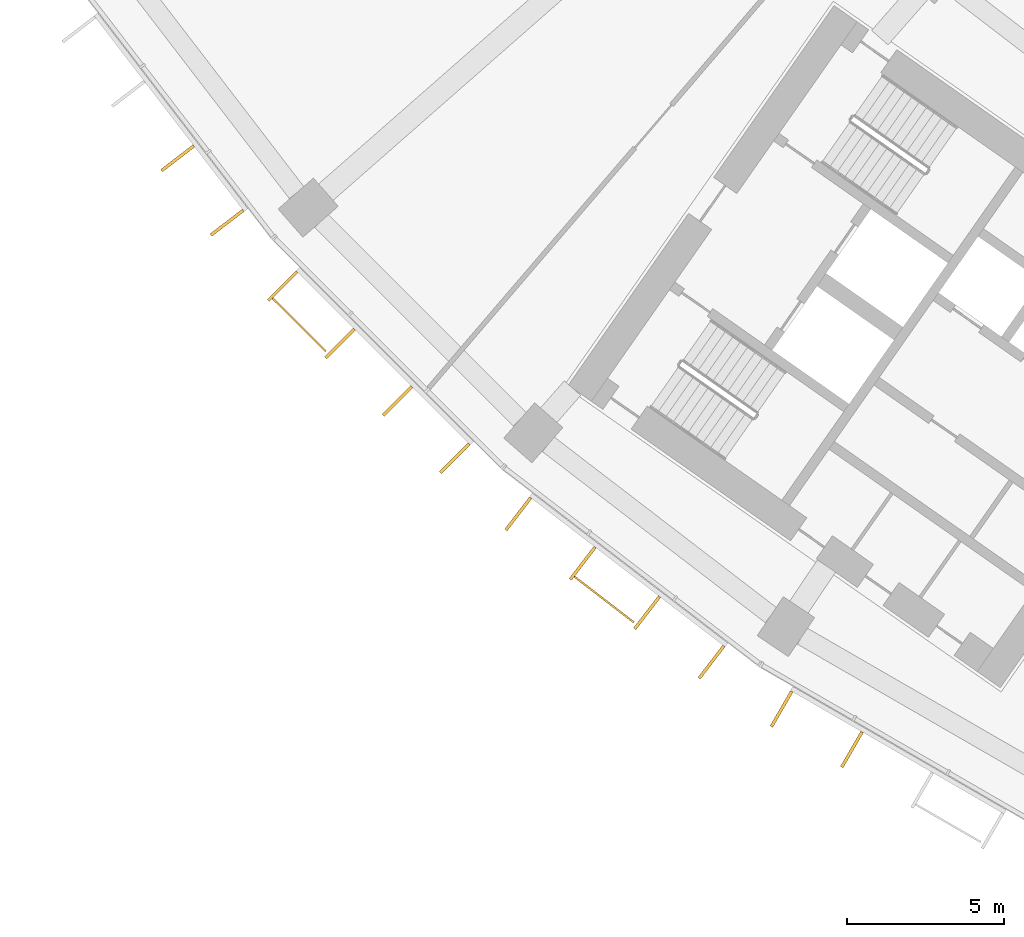
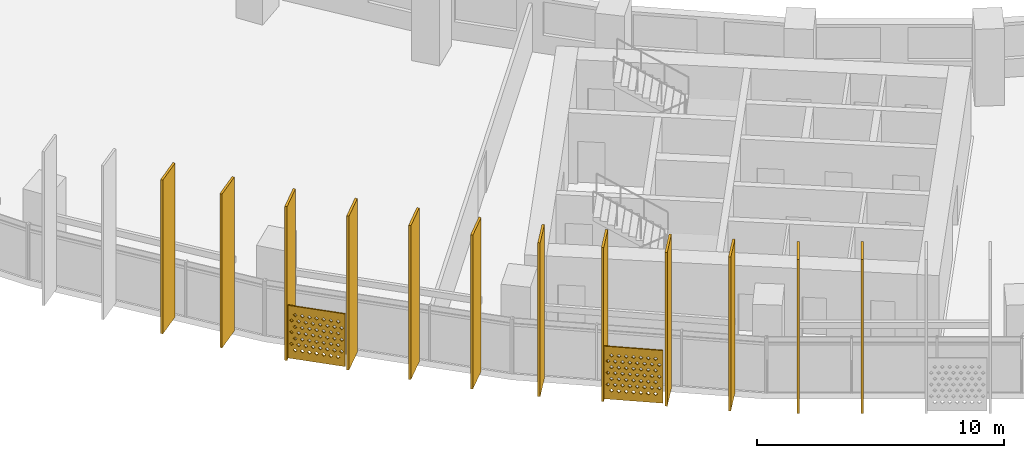
# One storey, part 23 of 30: 14 shading devices.
"""IFC4 building model written with IfcOpenShell, lengths in metres."""

from ifc_helpers import new_model, si_unit, direction, frame, origin, origin_2d, place, context, subcontext, project, spatial, polyline, rectangle, outline, extrude, material, material_profile, profile_set, type_object, element, save


model = new_model("IFC4")

# Units and contexts
model_context = context("Model", 3, precision=1e-05, world=origin(), true_north=direction((0.0, 1.0)))
body_context = subcontext(model_context, "Body", "Model", "MODEL_VIEW")
ifc_project = project(units=[si_unit("LENGTHUNIT", "METRE"), si_unit("AREAUNIT", "SQUARE_METRE"), si_unit("VOLUMEUNIT", "CUBIC_METRE"), si_unit("PLANEANGLEUNIT", "RADIAN"), si_unit("MASSUNIT", "GRAM", prefix="KILO")], contexts=[model_context])

# Site, building, storey
site_placement = place(None, origin())
site = spatial("IfcSite", under=ifc_project, at=site_placement, CompositionType="ELEMENT")
building_placement = place(site_placement, origin())
building = spatial("IfcBuilding", under=site, at=building_placement, Name="Qamariyya Broadcast Tower", CompositionType="ELEMENT")
storey_placement = place(building_placement, frame((0.0, 0.0, 102.5)))
storey = spatial("IfcBuildingStorey", under=building, at=storey_placement, Name="L22", CompositionType="ELEMENT", Elevation=102.5)

# Shading devices
ifc_material_1 = material(Name="Perforated glazed terracotta", Category="masonry")
ifc_material_profile_1 = material_profile(ifc_material_1, outline(polyline([(-1.199951171875, -1.300048828125), (1.199951171875, -1.300048828125), (1.199951171875, 1.300048828125), (-1.199951171875, 1.300048828125), (-1.199951171875, -1.300048828125)]), holes=[polyline([(-0.81494140625, -0.86669921875), (-0.89990234375, -0.78173828125), (-0.985107421875, -0.86669921875), (-0.89990234375, -0.95166015625), (-0.81494140625, -0.86669921875)]), polyline([(-0.514892578125, -0.86669921875), (-0.60009765625, -0.78173828125), (-0.68505859375, -0.86669921875), (-0.60009765625, -0.95166015625), (-0.514892578125, -0.86669921875)]), polyline([(-0.215087890625, -0.86669921875), (-0.300048828125, -0.78173828125), (-0.385009765625, -0.86669921875), (-0.300048828125, -0.95166015625), (-0.215087890625, -0.86669921875)]), polyline([(0.0849609375, -0.86669921875), (0.0, -0.78173828125), (-0.0849609375, -0.86669921875), (0.0, -0.95166015625), (0.0849609375, -0.86669921875)]), polyline([(0.385009765625, -0.86669921875), (0.300048828125, -0.78173828125), (0.215087890625, -0.86669921875), (0.300048828125, -0.95166015625), (0.385009765625, -0.86669921875)]), polyline([(0.68505859375, -0.86669921875), (0.60009765625, -0.78173828125), (0.514892578125, -0.86669921875), (0.60009765625, -0.95166015625), (0.68505859375, -0.86669921875)]), polyline([(0.985107421875, -0.86669921875), (0.89990234375, -0.78173828125), (0.81494140625, -0.86669921875), (0.89990234375, -0.95166015625), (0.985107421875, -0.86669921875)]), polyline([(-0.965087890625, -0.577880859375), (-1.050048828125, -0.49267578125), (-1.135009765625, -0.577880859375), (-1.050048828125, -0.662841796875), (-0.965087890625, -0.577880859375)]), polyline([(-0.6650390625, -0.577880859375), (-0.75, -0.49267578125), (-0.8349609375, -0.577880859375), (-0.75, -0.662841796875), (-0.6650390625, -0.577880859375)]), polyline([(-0.364990234375, -0.577880859375), (-0.449951171875, -0.49267578125), (-0.534912109375, -0.577880859375), (-0.449951171875, -0.662841796875), (-0.364990234375, -0.577880859375)]), polyline([(-0.06494140625, -0.577880859375), (-0.14990234375, -0.49267578125), (-0.235107421875, -0.577880859375), (-0.14990234375, -0.662841796875), (-0.06494140625, -0.577880859375)]), polyline([(0.235107421875, -0.577880859375), (0.14990234375, -0.49267578125), (0.06494140625, -0.577880859375), (0.14990234375, -0.662841796875), (0.235107421875, -0.577880859375)]), polyline([(0.534912109375, -0.577880859375), (0.449951171875, -0.49267578125), (0.364990234375, -0.577880859375), (0.449951171875, -0.662841796875), (0.534912109375, -0.577880859375)]), polyline([(0.8349609375, -0.577880859375), (0.75, -0.49267578125), (0.6650390625, -0.577880859375), (0.75, -0.662841796875), (0.8349609375, -0.577880859375)]), polyline([(1.135009765625, -0.577880859375), (1.050048828125, -0.49267578125), (0.965087890625, -0.577880859375), (1.050048828125, -0.662841796875), (1.135009765625, -0.577880859375)]), polyline([(-0.81494140625, -0.288818359375), (-0.89990234375, -0.203857421875), (-0.985107421875, -0.288818359375), (-0.89990234375, -0.373779296875), (-0.81494140625, -0.288818359375)]), polyline([(-0.514892578125, -0.288818359375), (-0.60009765625, -0.203857421875), (-0.68505859375, -0.288818359375), (-0.60009765625, -0.373779296875), (-0.514892578125, -0.288818359375)]), polyline([(-0.215087890625, -0.288818359375), (-0.300048828125, -0.203857421875), (-0.385009765625, -0.288818359375), (-0.300048828125, -0.373779296875), (-0.215087890625, -0.288818359375)]), polyline([(0.0849609375, -0.288818359375), (0.0, -0.203857421875), (-0.0849609375, -0.288818359375), (0.0, -0.373779296875), (0.0849609375, -0.288818359375)]), polyline([(0.385009765625, -0.288818359375), (0.300048828125, -0.203857421875), (0.215087890625, -0.288818359375), (0.300048828125, -0.373779296875), (0.385009765625, -0.288818359375)]), polyline([(0.68505859375, -0.288818359375), (0.60009765625, -0.203857421875), (0.514892578125, -0.288818359375), (0.60009765625, -0.373779296875), (0.68505859375, -0.288818359375)]), polyline([(0.985107421875, -0.288818359375), (0.89990234375, -0.203857421875), (0.81494140625, -0.288818359375), (0.89990234375, -0.373779296875), (0.985107421875, -0.288818359375)]), polyline([(-0.965087890625, 0.0), (-1.050048828125, 0.0849609375), (-1.135009765625, 0.0), (-1.050048828125, -0.0849609375), (-0.965087890625, 0.0)]), polyline([(-0.6650390625, 0.0), (-0.75, 0.0849609375), (-0.8349609375, 0.0), (-0.75, -0.0849609375), (-0.6650390625, 0.0)]), polyline([(-0.364990234375, 0.0), (-0.449951171875, 0.0849609375), (-0.534912109375, 0.0), (-0.449951171875, -0.0849609375), (-0.364990234375, 0.0)]), polyline([(-0.06494140625, 0.0), (-0.14990234375, 0.0849609375), (-0.235107421875, 0.0), (-0.14990234375, -0.0849609375), (-0.06494140625, 0.0)]), polyline([(0.235107421875, 0.0), (0.14990234375, 0.0849609375), (0.06494140625, 0.0), (0.14990234375, -0.0849609375), (0.235107421875, 0.0)]), polyline([(0.534912109375, 0.0), (0.449951171875, 0.0849609375), (0.364990234375, 0.0), (0.449951171875, -0.0849609375), (0.534912109375, 0.0)]), polyline([(0.8349609375, 0.0), (0.75, 0.0849609375), (0.6650390625, 0.0), (0.75, -0.0849609375), (0.8349609375, 0.0)]), polyline([(1.135009765625, 0.0), (1.050048828125, 0.0849609375), (0.965087890625, 0.0), (1.050048828125, -0.0849609375), (1.135009765625, 0.0)]), polyline([(-0.81494140625, 0.288818359375), (-0.89990234375, 0.373779296875), (-0.985107421875, 0.288818359375), (-0.89990234375, 0.203857421875), (-0.81494140625, 0.288818359375)]), polyline([(-0.514892578125, 0.288818359375), (-0.60009765625, 0.373779296875), (-0.68505859375, 0.288818359375), (-0.60009765625, 0.203857421875), (-0.514892578125, 0.288818359375)]), polyline([(-0.215087890625, 0.288818359375), (-0.300048828125, 0.373779296875), (-0.385009765625, 0.288818359375), (-0.300048828125, 0.203857421875), (-0.215087890625, 0.288818359375)]), polyline([(0.0849609375, 0.288818359375), (0.0, 0.373779296875), (-0.0849609375, 0.288818359375), (0.0, 0.203857421875), (0.0849609375, 0.288818359375)]), polyline([(0.385009765625, 0.288818359375), (0.300048828125, 0.373779296875), (0.215087890625, 0.288818359375), (0.300048828125, 0.203857421875), (0.385009765625, 0.288818359375)]), polyline([(0.68505859375, 0.288818359375), (0.60009765625, 0.373779296875), (0.514892578125, 0.288818359375), (0.60009765625, 0.203857421875), (0.68505859375, 0.288818359375)]), polyline([(0.985107421875, 0.288818359375), (0.89990234375, 0.373779296875), (0.81494140625, 0.288818359375), (0.89990234375, 0.203857421875), (0.985107421875, 0.288818359375)]), polyline([(-0.965087890625, 0.577880859375), (-1.050048828125, 0.662841796875), (-1.135009765625, 0.577880859375), (-1.050048828125, 0.49267578125), (-0.965087890625, 0.577880859375)]), polyline([(-0.6650390625, 0.577880859375), (-0.75, 0.662841796875), (-0.8349609375, 0.577880859375), (-0.75, 0.49267578125), (-0.6650390625, 0.577880859375)]), polyline([(-0.364990234375, 0.577880859375), (-0.449951171875, 0.662841796875), (-0.534912109375, 0.577880859375), (-0.449951171875, 0.49267578125), (-0.364990234375, 0.577880859375)]), polyline([(-0.06494140625, 0.577880859375), (-0.14990234375, 0.662841796875), (-0.235107421875, 0.577880859375), (-0.14990234375, 0.49267578125), (-0.06494140625, 0.577880859375)]), polyline([(0.235107421875, 0.577880859375), (0.14990234375, 0.662841796875), (0.06494140625, 0.577880859375), (0.14990234375, 0.49267578125), (0.235107421875, 0.577880859375)]), polyline([(0.534912109375, 0.577880859375), (0.449951171875, 0.662841796875), (0.364990234375, 0.577880859375), (0.449951171875, 0.49267578125), (0.534912109375, 0.577880859375)]), polyline([(0.8349609375, 0.577880859375), (0.75, 0.662841796875), (0.6650390625, 0.577880859375), (0.75, 0.49267578125), (0.8349609375, 0.577880859375)]), polyline([(1.135009765625, 0.577880859375), (1.050048828125, 0.662841796875), (0.965087890625, 0.577880859375), (1.050048828125, 0.49267578125), (1.135009765625, 0.577880859375)]), polyline([(-0.81494140625, 0.86669921875), (-0.89990234375, 0.95166015625), (-0.985107421875, 0.86669921875), (-0.89990234375, 0.78173828125), (-0.81494140625, 0.86669921875)]), polyline([(-0.514892578125, 0.86669921875), (-0.60009765625, 0.95166015625), (-0.68505859375, 0.86669921875), (-0.60009765625, 0.78173828125), (-0.514892578125, 0.86669921875)]), polyline([(-0.215087890625, 0.86669921875), (-0.300048828125, 0.95166015625), (-0.385009765625, 0.86669921875), (-0.300048828125, 0.78173828125), (-0.215087890625, 0.86669921875)]), polyline([(0.0849609375, 0.86669921875), (0.0, 0.95166015625), (-0.0849609375, 0.86669921875), (0.0, 0.78173828125), (0.0849609375, 0.86669921875)]), polyline([(0.385009765625, 0.86669921875), (0.300048828125, 0.95166015625), (0.215087890625, 0.86669921875), (0.300048828125, 0.78173828125), (0.385009765625, 0.86669921875)]), polyline([(0.68505859375, 0.86669921875), (0.60009765625, 0.95166015625), (0.514892578125, 0.86669921875), (0.60009765625, 0.78173828125), (0.68505859375, 0.86669921875)]), polyline([(0.985107421875, 0.86669921875), (0.89990234375, 0.95166015625), (0.81494140625, 0.86669921875), (0.89990234375, 0.78173828125), (0.985107421875, 0.86669921875)])]))
ifc_profile_set_1 = profile_set([ifc_material_profile_1], Name="Perforated glazed terracotta")
shading_device_type_1 = type_object("IfcShadingDeviceType", Name="Perforated terracotta screen 2400 x 2600", PredefinedType="USERDEFINED", material=ifc_profile_set_1)
shading_device_1_placement = place(storey_placement, frame((-58.71826171875, -54.98486328125, 1.35009765625), z_axis=(-0.705066081692, -0.709141608176, 0.0), x_axis=(0.709141608176, -0.705066081692, 0.0)))
element("IfcShadingDevice", 1, at=shading_device_1_placement, inside=storey, type_object=shading_device_type_1, Name="e-scr-L22-03-0", ObjectType="SCREEN", PredefinedType="USERDEFINED", context=body_context, shape_type="SweptSolid", body=[
    extrude(outline(polyline([(-1.199951171875, -1.300048828125), (1.199951171875, -1.300048828125), (1.199951171875, 1.300048828125), (-1.199951171875, 1.300048828125), (-1.199951171875, -1.300048828125)]), holes=[polyline([(-0.81494140625, -0.86669921875), (-0.89990234375, -0.78173828125), (-0.985107421875, -0.86669921875), (-0.89990234375, -0.95166015625), (-0.81494140625, -0.86669921875)]), polyline([(-0.514892578125, -0.86669921875), (-0.60009765625, -0.78173828125), (-0.68505859375, -0.86669921875), (-0.60009765625, -0.95166015625), (-0.514892578125, -0.86669921875)]), polyline([(-0.215087890625, -0.86669921875), (-0.300048828125, -0.78173828125), (-0.385009765625, -0.86669921875), (-0.300048828125, -0.95166015625), (-0.215087890625, -0.86669921875)]), polyline([(0.0849609375, -0.86669921875), (0.0, -0.78173828125), (-0.0849609375, -0.86669921875), (0.0, -0.95166015625), (0.0849609375, -0.86669921875)]), polyline([(0.385009765625, -0.86669921875), (0.300048828125, -0.78173828125), (0.215087890625, -0.86669921875), (0.300048828125, -0.95166015625), (0.385009765625, -0.86669921875)]), polyline([(0.68505859375, -0.86669921875), (0.60009765625, -0.78173828125), (0.514892578125, -0.86669921875), (0.60009765625, -0.95166015625), (0.68505859375, -0.86669921875)]), polyline([(0.985107421875, -0.86669921875), (0.89990234375, -0.78173828125), (0.81494140625, -0.86669921875), (0.89990234375, -0.95166015625), (0.985107421875, -0.86669921875)]), polyline([(-0.965087890625, -0.577880859375), (-1.050048828125, -0.49267578125), (-1.135009765625, -0.577880859375), (-1.050048828125, -0.662841796875), (-0.965087890625, -0.577880859375)]), polyline([(-0.6650390625, -0.577880859375), (-0.75, -0.49267578125), (-0.8349609375, -0.577880859375), (-0.75, -0.662841796875), (-0.6650390625, -0.577880859375)]), polyline([(-0.364990234375, -0.577880859375), (-0.449951171875, -0.49267578125), (-0.534912109375, -0.577880859375), (-0.449951171875, -0.662841796875), (-0.364990234375, -0.577880859375)]), polyline([(-0.06494140625, -0.577880859375), (-0.14990234375, -0.49267578125), (-0.235107421875, -0.577880859375), (-0.14990234375, -0.662841796875), (-0.06494140625, -0.577880859375)]), polyline([(0.235107421875, -0.577880859375), (0.14990234375, -0.49267578125), (0.06494140625, -0.577880859375), (0.14990234375, -0.662841796875), (0.235107421875, -0.577880859375)]), polyline([(0.534912109375, -0.577880859375), (0.449951171875, -0.49267578125), (0.364990234375, -0.577880859375), (0.449951171875, -0.662841796875), (0.534912109375, -0.577880859375)]), polyline([(0.8349609375, -0.577880859375), (0.75, -0.49267578125), (0.6650390625, -0.577880859375), (0.75, -0.662841796875), (0.8349609375, -0.577880859375)]), polyline([(1.135009765625, -0.577880859375), (1.050048828125, -0.49267578125), (0.965087890625, -0.577880859375), (1.050048828125, -0.662841796875), (1.135009765625, -0.577880859375)]), polyline([(-0.81494140625, -0.288818359375), (-0.89990234375, -0.203857421875), (-0.985107421875, -0.288818359375), (-0.89990234375, -0.373779296875), (-0.81494140625, -0.288818359375)]), polyline([(-0.514892578125, -0.288818359375), (-0.60009765625, -0.203857421875), (-0.68505859375, -0.288818359375), (-0.60009765625, -0.373779296875), (-0.514892578125, -0.288818359375)]), polyline([(-0.215087890625, -0.288818359375), (-0.300048828125, -0.203857421875), (-0.385009765625, -0.288818359375), (-0.300048828125, -0.373779296875), (-0.215087890625, -0.288818359375)]), polyline([(0.0849609375, -0.288818359375), (0.0, -0.203857421875), (-0.0849609375, -0.288818359375), (0.0, -0.373779296875), (0.0849609375, -0.288818359375)]), polyline([(0.385009765625, -0.288818359375), (0.300048828125, -0.203857421875), (0.215087890625, -0.288818359375), (0.300048828125, -0.373779296875), (0.385009765625, -0.288818359375)]), polyline([(0.68505859375, -0.288818359375), (0.60009765625, -0.203857421875), (0.514892578125, -0.288818359375), (0.60009765625, -0.373779296875), (0.68505859375, -0.288818359375)]), polyline([(0.985107421875, -0.288818359375), (0.89990234375, -0.203857421875), (0.81494140625, -0.288818359375), (0.89990234375, -0.373779296875), (0.985107421875, -0.288818359375)]), polyline([(-0.965087890625, 0.0), (-1.050048828125, 0.0849609375), (-1.135009765625, 0.0), (-1.050048828125, -0.0849609375), (-0.965087890625, 0.0)]), polyline([(-0.6650390625, 0.0), (-0.75, 0.0849609375), (-0.8349609375, 0.0), (-0.75, -0.0849609375), (-0.6650390625, 0.0)]), polyline([(-0.364990234375, 0.0), (-0.449951171875, 0.0849609375), (-0.534912109375, 0.0), (-0.449951171875, -0.0849609375), (-0.364990234375, 0.0)]), polyline([(-0.06494140625, 0.0), (-0.14990234375, 0.0849609375), (-0.235107421875, 0.0), (-0.14990234375, -0.0849609375), (-0.06494140625, 0.0)]), polyline([(0.235107421875, 0.0), (0.14990234375, 0.0849609375), (0.06494140625, 0.0), (0.14990234375, -0.0849609375), (0.235107421875, 0.0)]), polyline([(0.534912109375, 0.0), (0.449951171875, 0.0849609375), (0.364990234375, 0.0), (0.449951171875, -0.0849609375), (0.534912109375, 0.0)]), polyline([(0.8349609375, 0.0), (0.75, 0.0849609375), (0.6650390625, 0.0), (0.75, -0.0849609375), (0.8349609375, 0.0)]), polyline([(1.135009765625, 0.0), (1.050048828125, 0.0849609375), (0.965087890625, 0.0), (1.050048828125, -0.0849609375), (1.135009765625, 0.0)]), polyline([(-0.81494140625, 0.288818359375), (-0.89990234375, 0.373779296875), (-0.985107421875, 0.288818359375), (-0.89990234375, 0.203857421875), (-0.81494140625, 0.288818359375)]), polyline([(-0.514892578125, 0.288818359375), (-0.60009765625, 0.373779296875), (-0.68505859375, 0.288818359375), (-0.60009765625, 0.203857421875), (-0.514892578125, 0.288818359375)]), polyline([(-0.215087890625, 0.288818359375), (-0.300048828125, 0.373779296875), (-0.385009765625, 0.288818359375), (-0.300048828125, 0.203857421875), (-0.215087890625, 0.288818359375)]), polyline([(0.0849609375, 0.288818359375), (0.0, 0.373779296875), (-0.0849609375, 0.288818359375), (0.0, 0.203857421875), (0.0849609375, 0.288818359375)]), polyline([(0.385009765625, 0.288818359375), (0.300048828125, 0.373779296875), (0.215087890625, 0.288818359375), (0.300048828125, 0.203857421875), (0.385009765625, 0.288818359375)]), polyline([(0.68505859375, 0.288818359375), (0.60009765625, 0.373779296875), (0.514892578125, 0.288818359375), (0.60009765625, 0.203857421875), (0.68505859375, 0.288818359375)]), polyline([(0.985107421875, 0.288818359375), (0.89990234375, 0.373779296875), (0.81494140625, 0.288818359375), (0.89990234375, 0.203857421875), (0.985107421875, 0.288818359375)]), polyline([(-0.965087890625, 0.577880859375), (-1.050048828125, 0.662841796875), (-1.135009765625, 0.577880859375), (-1.050048828125, 0.49267578125), (-0.965087890625, 0.577880859375)]), polyline([(-0.6650390625, 0.577880859375), (-0.75, 0.662841796875), (-0.8349609375, 0.577880859375), (-0.75, 0.49267578125), (-0.6650390625, 0.577880859375)]), polyline([(-0.364990234375, 0.577880859375), (-0.449951171875, 0.662841796875), (-0.534912109375, 0.577880859375), (-0.449951171875, 0.49267578125), (-0.364990234375, 0.577880859375)]), polyline([(-0.06494140625, 0.577880859375), (-0.14990234375, 0.662841796875), (-0.235107421875, 0.577880859375), (-0.14990234375, 0.49267578125), (-0.06494140625, 0.577880859375)]), polyline([(0.235107421875, 0.577880859375), (0.14990234375, 0.662841796875), (0.06494140625, 0.577880859375), (0.14990234375, 0.49267578125), (0.235107421875, 0.577880859375)]), polyline([(0.534912109375, 0.577880859375), (0.449951171875, 0.662841796875), (0.364990234375, 0.577880859375), (0.449951171875, 0.49267578125), (0.534912109375, 0.577880859375)]), polyline([(0.8349609375, 0.577880859375), (0.75, 0.662841796875), (0.6650390625, 0.577880859375), (0.75, 0.49267578125), (0.8349609375, 0.577880859375)]), polyline([(1.135009765625, 0.577880859375), (1.050048828125, 0.662841796875), (0.965087890625, 0.577880859375), (1.050048828125, 0.49267578125), (1.135009765625, 0.577880859375)]), polyline([(-0.81494140625, 0.86669921875), (-0.89990234375, 0.95166015625), (-0.985107421875, 0.86669921875), (-0.89990234375, 0.78173828125), (-0.81494140625, 0.86669921875)]), polyline([(-0.514892578125, 0.86669921875), (-0.60009765625, 0.95166015625), (-0.68505859375, 0.86669921875), (-0.60009765625, 0.78173828125), (-0.514892578125, 0.86669921875)]), polyline([(-0.215087890625, 0.86669921875), (-0.300048828125, 0.95166015625), (-0.385009765625, 0.86669921875), (-0.300048828125, 0.78173828125), (-0.215087890625, 0.86669921875)]), polyline([(0.0849609375, 0.86669921875), (0.0, 0.95166015625), (-0.0849609375, 0.86669921875), (0.0, 0.78173828125), (0.0849609375, 0.86669921875)]), polyline([(0.385009765625, 0.86669921875), (0.300048828125, 0.95166015625), (0.215087890625, 0.86669921875), (0.300048828125, 0.78173828125), (0.385009765625, 0.86669921875)]), polyline([(0.68505859375, 0.86669921875), (0.60009765625, 0.95166015625), (0.514892578125, 0.86669921875), (0.60009765625, 0.78173828125), (0.68505859375, 0.86669921875)]), polyline([(0.985107421875, 0.86669921875), (0.89990234375, 0.95166015625), (0.81494140625, 0.86669921875), (0.89990234375, 0.78173828125), (0.985107421875, 0.86669921875)])]), origin(), (0.0, 0.0, 1.0), 0.059814453125),
])
shading_device_2_placement = place(storey_placement, frame((-48.9814453125, -63.75732421875, 1.35009765625), z_axis=(-0.60971076085, -0.792623989105, 0.0), x_axis=(0.792623989105, -0.60971076085, 0.0)))
element("IfcShadingDevice", 2, at=shading_device_2_placement, inside=storey, type_object=shading_device_type_1, Name="e-scr-L22-04-1", ObjectType="SCREEN", PredefinedType="USERDEFINED", context=body_context, shape_type="SweptSolid", body=[
    extrude(outline(polyline([(-1.199951171875, -1.300048828125), (1.199951171875, -1.300048828125), (1.199951171875, 1.300048828125), (-1.199951171875, 1.300048828125), (-1.199951171875, -1.300048828125)]), holes=[polyline([(-0.81494140625, -0.86669921875), (-0.89990234375, -0.78173828125), (-0.985107421875, -0.86669921875), (-0.89990234375, -0.95166015625), (-0.81494140625, -0.86669921875)]), polyline([(-0.514892578125, -0.86669921875), (-0.60009765625, -0.78173828125), (-0.68505859375, -0.86669921875), (-0.60009765625, -0.95166015625), (-0.514892578125, -0.86669921875)]), polyline([(-0.215087890625, -0.86669921875), (-0.300048828125, -0.78173828125), (-0.385009765625, -0.86669921875), (-0.300048828125, -0.95166015625), (-0.215087890625, -0.86669921875)]), polyline([(0.0849609375, -0.86669921875), (0.0, -0.78173828125), (-0.0849609375, -0.86669921875), (0.0, -0.95166015625), (0.0849609375, -0.86669921875)]), polyline([(0.385009765625, -0.86669921875), (0.300048828125, -0.78173828125), (0.215087890625, -0.86669921875), (0.300048828125, -0.95166015625), (0.385009765625, -0.86669921875)]), polyline([(0.68505859375, -0.86669921875), (0.60009765625, -0.78173828125), (0.514892578125, -0.86669921875), (0.60009765625, -0.95166015625), (0.68505859375, -0.86669921875)]), polyline([(0.985107421875, -0.86669921875), (0.89990234375, -0.78173828125), (0.81494140625, -0.86669921875), (0.89990234375, -0.95166015625), (0.985107421875, -0.86669921875)]), polyline([(-0.965087890625, -0.577880859375), (-1.050048828125, -0.49267578125), (-1.135009765625, -0.577880859375), (-1.050048828125, -0.662841796875), (-0.965087890625, -0.577880859375)]), polyline([(-0.6650390625, -0.577880859375), (-0.75, -0.49267578125), (-0.8349609375, -0.577880859375), (-0.75, -0.662841796875), (-0.6650390625, -0.577880859375)]), polyline([(-0.364990234375, -0.577880859375), (-0.449951171875, -0.49267578125), (-0.534912109375, -0.577880859375), (-0.449951171875, -0.662841796875), (-0.364990234375, -0.577880859375)]), polyline([(-0.06494140625, -0.577880859375), (-0.14990234375, -0.49267578125), (-0.235107421875, -0.577880859375), (-0.14990234375, -0.662841796875), (-0.06494140625, -0.577880859375)]), polyline([(0.235107421875, -0.577880859375), (0.14990234375, -0.49267578125), (0.06494140625, -0.577880859375), (0.14990234375, -0.662841796875), (0.235107421875, -0.577880859375)]), polyline([(0.534912109375, -0.577880859375), (0.449951171875, -0.49267578125), (0.364990234375, -0.577880859375), (0.449951171875, -0.662841796875), (0.534912109375, -0.577880859375)]), polyline([(0.8349609375, -0.577880859375), (0.75, -0.49267578125), (0.6650390625, -0.577880859375), (0.75, -0.662841796875), (0.8349609375, -0.577880859375)]), polyline([(1.135009765625, -0.577880859375), (1.050048828125, -0.49267578125), (0.965087890625, -0.577880859375), (1.050048828125, -0.662841796875), (1.135009765625, -0.577880859375)]), polyline([(-0.81494140625, -0.288818359375), (-0.89990234375, -0.203857421875), (-0.985107421875, -0.288818359375), (-0.89990234375, -0.373779296875), (-0.81494140625, -0.288818359375)]), polyline([(-0.514892578125, -0.288818359375), (-0.60009765625, -0.203857421875), (-0.68505859375, -0.288818359375), (-0.60009765625, -0.373779296875), (-0.514892578125, -0.288818359375)]), polyline([(-0.215087890625, -0.288818359375), (-0.300048828125, -0.203857421875), (-0.385009765625, -0.288818359375), (-0.300048828125, -0.373779296875), (-0.215087890625, -0.288818359375)]), polyline([(0.0849609375, -0.288818359375), (0.0, -0.203857421875), (-0.0849609375, -0.288818359375), (0.0, -0.373779296875), (0.0849609375, -0.288818359375)]), polyline([(0.385009765625, -0.288818359375), (0.300048828125, -0.203857421875), (0.215087890625, -0.288818359375), (0.300048828125, -0.373779296875), (0.385009765625, -0.288818359375)]), polyline([(0.68505859375, -0.288818359375), (0.60009765625, -0.203857421875), (0.514892578125, -0.288818359375), (0.60009765625, -0.373779296875), (0.68505859375, -0.288818359375)]), polyline([(0.985107421875, -0.288818359375), (0.89990234375, -0.203857421875), (0.81494140625, -0.288818359375), (0.89990234375, -0.373779296875), (0.985107421875, -0.288818359375)]), polyline([(-0.965087890625, 0.0), (-1.050048828125, 0.0849609375), (-1.135009765625, 0.0), (-1.050048828125, -0.0849609375), (-0.965087890625, 0.0)]), polyline([(-0.6650390625, 0.0), (-0.75, 0.0849609375), (-0.8349609375, 0.0), (-0.75, -0.0849609375), (-0.6650390625, 0.0)]), polyline([(-0.364990234375, 0.0), (-0.449951171875, 0.0849609375), (-0.534912109375, 0.0), (-0.449951171875, -0.0849609375), (-0.364990234375, 0.0)]), polyline([(-0.06494140625, 0.0), (-0.14990234375, 0.0849609375), (-0.235107421875, 0.0), (-0.14990234375, -0.0849609375), (-0.06494140625, 0.0)]), polyline([(0.235107421875, 0.0), (0.14990234375, 0.0849609375), (0.06494140625, 0.0), (0.14990234375, -0.0849609375), (0.235107421875, 0.0)]), polyline([(0.534912109375, 0.0), (0.449951171875, 0.0849609375), (0.364990234375, 0.0), (0.449951171875, -0.0849609375), (0.534912109375, 0.0)]), polyline([(0.8349609375, 0.0), (0.75, 0.0849609375), (0.6650390625, 0.0), (0.75, -0.0849609375), (0.8349609375, 0.0)]), polyline([(1.135009765625, 0.0), (1.050048828125, 0.0849609375), (0.965087890625, 0.0), (1.050048828125, -0.0849609375), (1.135009765625, 0.0)]), polyline([(-0.81494140625, 0.288818359375), (-0.89990234375, 0.373779296875), (-0.985107421875, 0.288818359375), (-0.89990234375, 0.203857421875), (-0.81494140625, 0.288818359375)]), polyline([(-0.514892578125, 0.288818359375), (-0.60009765625, 0.373779296875), (-0.68505859375, 0.288818359375), (-0.60009765625, 0.203857421875), (-0.514892578125, 0.288818359375)]), polyline([(-0.215087890625, 0.288818359375), (-0.300048828125, 0.373779296875), (-0.385009765625, 0.288818359375), (-0.300048828125, 0.203857421875), (-0.215087890625, 0.288818359375)]), polyline([(0.0849609375, 0.288818359375), (0.0, 0.373779296875), (-0.0849609375, 0.288818359375), (0.0, 0.203857421875), (0.0849609375, 0.288818359375)]), polyline([(0.385009765625, 0.288818359375), (0.300048828125, 0.373779296875), (0.215087890625, 0.288818359375), (0.300048828125, 0.203857421875), (0.385009765625, 0.288818359375)]), polyline([(0.68505859375, 0.288818359375), (0.60009765625, 0.373779296875), (0.514892578125, 0.288818359375), (0.60009765625, 0.203857421875), (0.68505859375, 0.288818359375)]), polyline([(0.985107421875, 0.288818359375), (0.89990234375, 0.373779296875), (0.81494140625, 0.288818359375), (0.89990234375, 0.203857421875), (0.985107421875, 0.288818359375)]), polyline([(-0.965087890625, 0.577880859375), (-1.050048828125, 0.662841796875), (-1.135009765625, 0.577880859375), (-1.050048828125, 0.49267578125), (-0.965087890625, 0.577880859375)]), polyline([(-0.6650390625, 0.577880859375), (-0.75, 0.662841796875), (-0.8349609375, 0.577880859375), (-0.75, 0.49267578125), (-0.6650390625, 0.577880859375)]), polyline([(-0.364990234375, 0.577880859375), (-0.449951171875, 0.662841796875), (-0.534912109375, 0.577880859375), (-0.449951171875, 0.49267578125), (-0.364990234375, 0.577880859375)]), polyline([(-0.06494140625, 0.577880859375), (-0.14990234375, 0.662841796875), (-0.235107421875, 0.577880859375), (-0.14990234375, 0.49267578125), (-0.06494140625, 0.577880859375)]), polyline([(0.235107421875, 0.577880859375), (0.14990234375, 0.662841796875), (0.06494140625, 0.577880859375), (0.14990234375, 0.49267578125), (0.235107421875, 0.577880859375)]), polyline([(0.534912109375, 0.577880859375), (0.449951171875, 0.662841796875), (0.364990234375, 0.577880859375), (0.449951171875, 0.49267578125), (0.534912109375, 0.577880859375)]), polyline([(0.8349609375, 0.577880859375), (0.75, 0.662841796875), (0.6650390625, 0.577880859375), (0.75, 0.49267578125), (0.8349609375, 0.577880859375)]), polyline([(1.135009765625, 0.577880859375), (1.050048828125, 0.662841796875), (0.965087890625, 0.577880859375), (1.050048828125, 0.49267578125), (1.135009765625, 0.577880859375)]), polyline([(-0.81494140625, 0.86669921875), (-0.89990234375, 0.95166015625), (-0.985107421875, 0.86669921875), (-0.89990234375, 0.78173828125), (-0.81494140625, 0.86669921875)]), polyline([(-0.514892578125, 0.86669921875), (-0.60009765625, 0.95166015625), (-0.68505859375, 0.86669921875), (-0.60009765625, 0.78173828125), (-0.514892578125, 0.86669921875)]), polyline([(-0.215087890625, 0.86669921875), (-0.300048828125, 0.95166015625), (-0.385009765625, 0.86669921875), (-0.300048828125, 0.78173828125), (-0.215087890625, 0.86669921875)]), polyline([(0.0849609375, 0.86669921875), (0.0, 0.95166015625), (-0.0849609375, 0.86669921875), (0.0, 0.78173828125), (0.0849609375, 0.86669921875)]), polyline([(0.385009765625, 0.86669921875), (0.300048828125, 0.95166015625), (0.215087890625, 0.86669921875), (0.300048828125, 0.78173828125), (0.385009765625, 0.86669921875)]), polyline([(0.68505859375, 0.86669921875), (0.60009765625, 0.95166015625), (0.514892578125, 0.86669921875), (0.60009765625, 0.78173828125), (0.68505859375, 0.86669921875)]), polyline([(0.985107421875, 0.86669921875), (0.89990234375, 0.95166015625), (0.81494140625, 0.86669921875), (0.89990234375, 0.78173828125), (0.985107421875, 0.86669921875)])]), origin(), (0.0, 0.0, 1.0), 0.06005859375),
])
ifc_material_2 = material(Name="Glazed terracotta", Category="masonry")
ifc_material_profile_2 = material_profile(ifc_material_2, rectangle(XDim=1.300048828125, YDim=0.10009765625, at=origin_2d()))
ifc_profile_set_2 = profile_set([ifc_material_profile_2], Name="Glazed terracotta")
shading_device_type_2 = type_object("IfcShadingDeviceType", Name="Terracotta fin 100 x 1300", PredefinedType="USERDEFINED", material=ifc_profile_set_2)
for number, where, z_axis, x_axis, name in (
    (3, (-62.62353515625, -49.68701171875, 0.0), (0.0, 0.0, 1.0), (-0.793353340291, -0.608761429009, 0.0), "e-fin-L22-02-2"),
    (4, (-61.044921875, -51.744384765625, 0.0), (0.0, 0.0, 1.0), (-0.793353340291, -0.608761429009, 0.0), "e-fin-L22-02-3"),
    (5, (-59.269775390625, -53.7685546875, 0.0), (0.0, 0.0, 1.0), (-0.707106781187, -0.707106781187, 0.0), "e-fin-L22-03-0"),
    (6, (-57.43603515625, -55.602294921875, 0.0), (0.0, 0.0, 1.0), (-0.707106781187, -0.707106781187, 0.0), "e-fin-L22-03-1"),
    (7, (-55.602294921875, -57.43603515625, 0.0), (0.0, 0.0, 1.0), (-0.707106781187, -0.707106781187, 0.0), "e-fin-L22-03-2"),
    (8, (-53.7685546875, -59.269775390625, 0.0), (0.0, 0.0, 1.0), (-0.707106781187, -0.707106781187, 0.0), "e-fin-L22-03-3"),
    (9, (-51.744384765625, -61.044921875, 0.0), (0.0, 0.0, 1.0), (-0.608761429009, -0.793353340291, 0.0), "e-fin-L22-04-0"),
    (10, (-49.68701171875, -62.62353515625, 0.0), (0.0, 0.0, 1.0), (-0.608761429009, -0.793353340291, 0.0), "e-fin-L22-04-1"),
    (11, (-47.629638671875, -64.2021484375, 0.0), (0.0, 0.0, 1.0), (-0.608761429009, -0.793353340291, 0.0), "e-fin-L22-04-2"),
    (12, (-45.572509765625, -65.781005859375, 0.0), (0.0, 0.0, 1.0), (-0.608761429009, -0.793353340291, 0.0), "e-fin-L22-04-3"),
    (13, (-43.333740234375, -67.276611328125, 0.0), (0.0, 0.0, 1.0), (-0.5, -0.866025403784, 0.0), "e-fin-L22-05-0"),
    (14, (-41.087890625, -68.5732421875, 0.0), (0.0, 0.0, 1.0), (-0.5, -0.866025403784, 0.0), "e-fin-L22-05-1"),
):
    element("IfcShadingDevice", number, at=place(storey_placement, frame(where, z_axis=z_axis, x_axis=x_axis)), inside=storey, type_object=shading_device_type_2, Name=name, ObjectType="FIN", PredefinedType="USERDEFINED", context=body_context, shape_type="SweptSolid", body=[
        extrude(rectangle(XDim=1.300048828125, YDim=0.10009765625, at=origin_2d()), origin(), (0.0, 0.0, 1.0), 7.60009765625),
    ])

save(model, "model.ifc")
